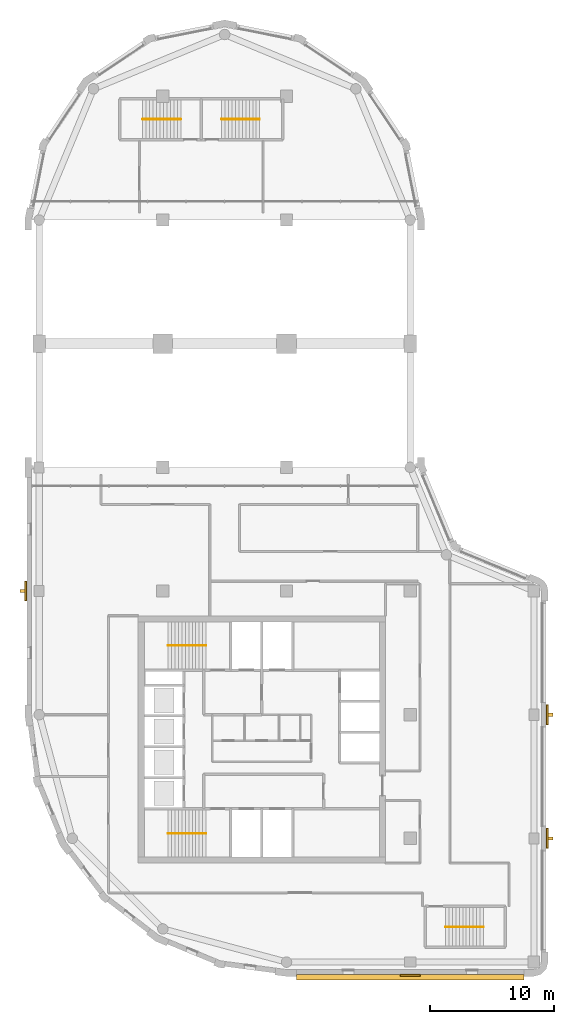
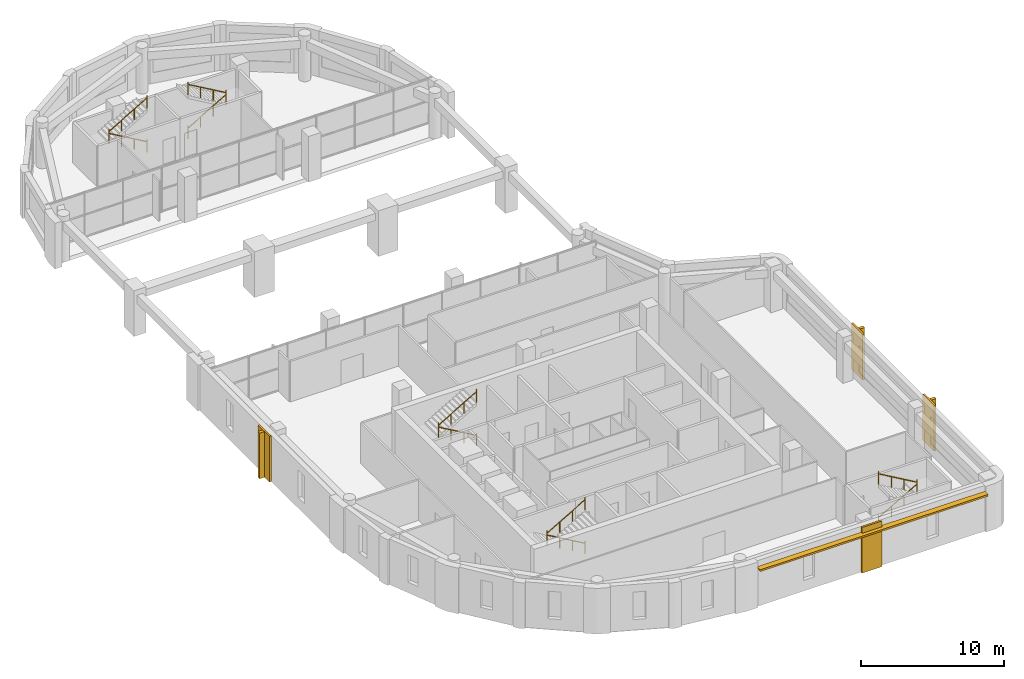
# One storey, part 10 of 11: 10 railings, 4 coverings, 4 shading devices.
"""IFC4 building model written with IfcOpenShell, lengths in metres."""

import ifcopenshell
import ifcopenshell.guid

model = None  # the IFC model being written
_history = None  # IfcOwnerHistory: only IFC2X3 demands one
_inside = {}  # id of a spatial element -> (the spatial element, [elements in it])
_under = {}  # id of a project, library or spatial element -> (it, [spatial elements below it])
_declared = {}  # id of a project -> (the project, [libraries it declares])
_typed = {}  # id of a type object -> (the type object, [elements of that type])
_made_of = {}  # id of a material, layer set ... -> (it, [elements and type objects made of it])


def new_model(schema):
    """Start an empty IFC model of exactly this schema.

    Asked for "IFC4X3", IfcOpenShell would pick the latest addendum, in which some entities
    have other attributes; the version numbers below select the first issue.
    IFC2X3 requires an IfcOwnerHistory on every rooted entity: one is made here for all.
    """
    global model, _history
    if schema == "IFC4X3":
        model = ifcopenshell.file(schema_version=(4, 3, 0, 0))
    else:
        model = ifcopenshell.file(schema=schema)
    _inside.clear()
    _under.clear()
    _declared.clear()
    _typed.clear()
    _made_of.clear()
    _history = None
    if model.schema == "IFC2X3":
        org = make("IfcOrganization", Name="unknown")
        user = make(
            "IfcPersonAndOrganization",
            ThePerson=make("IfcPerson", FamilyName="unknown"),
            TheOrganization=org,
        )
        app = make(
            "IfcApplication",
            ApplicationDeveloper=org,
            Version="unknown",
            ApplicationFullName="unknown",
            ApplicationIdentifier="unknown",
        )
        _history = make(
            "IfcOwnerHistory",
            OwningUser=user,
            OwningApplication=app,
            ChangeAction="ADDED",
            CreationDate=0,
        )
    return model


def make(cls, **values):
    """One entity of the class cls with the attributes given. An attribute that is None is left unset."""
    return model.create_entity(
        cls, **{name: value for name, value in values.items() if value is not None}
    )


def rooted(cls, **values):
    """An entity with a GlobalId (a new one), such as an element, a storey or a relation."""
    return make(cls, GlobalId=ifcopenshell.guid.new(), OwnerHistory=_history, **values)


def si_unit(unit_type, name, prefix=None):
    """IfcSIUnit, for example si_unit("LENGTHUNIT", "METRE", prefix="MILLI")."""
    return make("IfcSIUnit", UnitType=unit_type, Prefix=prefix, Name=name)


def assignment(units):
    """IfcUnitAssignment: the units of a project."""
    return None if units is None else make("IfcUnitAssignment", Units=units)


def point(xyz):
    """IfcCartesianPoint."""
    return None if xyz is None else make("IfcCartesianPoint", Coordinates=xyz)


def direction(xyz):
    """IfcDirection."""
    return None if xyz is None else make("IfcDirection", DirectionRatios=xyz)


def frame(location, z_axis=None, x_axis=None):
    """IfcAxis2Placement3D, a coordinate frame: its origin and axes. An axis left out is left unset."""
    return make(
        "IfcAxis2Placement3D",
        Location=point(location),
        Axis=direction(z_axis),
        RefDirection=direction(x_axis),
    )


def frame_2d(location, x_axis=None):
    """IfcAxis2Placement2D, a coordinate frame in the plane: its origin and x axis."""
    return make(
        "IfcAxis2Placement2D", Location=point(location), RefDirection=direction(x_axis)
    )


def origin():
    """The frame at (0, 0, 0) with its axes left unset."""
    return frame((0.0, 0.0, 0.0))


def origin_2d():
    """The frame at (0, 0) in the plane with its x axis left unset."""
    return frame_2d((0.0, 0.0))


def place(relative_to, where):
    """IfcLocalPlacement: puts the frame where relative to a parent placement (None: the world)."""
    return make(
        "IfcLocalPlacement", PlacementRelTo=relative_to, RelativePlacement=where
    )


def context(
    kind, dimensions, precision=None, world=None, true_north=None, identifier=None
):
    """IfcGeometricRepresentationContext, for example the 3D "Model" context."""
    return make(
        "IfcGeometricRepresentationContext",
        ContextIdentifier=identifier,
        ContextType=kind,
        CoordinateSpaceDimension=dimensions,
        Precision=precision,
        WorldCoordinateSystem=world,
        TrueNorth=true_north,
    )


def subcontext(parent, identifier, kind, view, scale=None):
    """IfcGeometricRepresentationSubContext, for example "Body" below "Model"."""
    return make(
        "IfcGeometricRepresentationSubContext",
        ContextIdentifier=identifier,
        ContextType=kind,
        ParentContext=parent,
        TargetScale=scale,
        TargetView=view,
    )


def project(units=None, contexts=None):
    """IfcProject with its units and contexts."""
    return rooted(
        "IfcProject",
        Name="project",
        RepresentationContexts=contexts,
        UnitsInContext=assignment(units),
    )


def spatial(cls, under=None, at=None, **own):
    """A site, building, storey or space (cls), placed at a placement, below another one or the project."""
    s = rooted(cls, ObjectPlacement=at, **own)
    if under is not None:
        _under.setdefault(under.id(), (under, []))[1].append(s)
    return s


def polyline(points):
    """IfcPolyline through the points."""
    return make("IfcPolyline", Points=[point(p) for p in points])


def profile(cls, at=None, kind="AREA", **sizes):
    """A parametric profile (cls). Its sizes go by their IFC names, for example OverallWidth=200.0."""
    return make(cls, ProfileType=kind, Position=at, **sizes)


def rectangle(**sizes):
    """IfcRectangleProfileDef."""
    return profile("IfcRectangleProfileDef", **sizes)


def circle(**sizes):
    """IfcCircleProfileDef."""
    return profile("IfcCircleProfileDef", **sizes)


def outline(outer, holes=None, kind="AREA"):
    """IfcArbitraryClosedProfileDef: a profile drawn as a closed curve; with holes, ...WithVoids."""
    if holes is None:
        return make("IfcArbitraryClosedProfileDef", ProfileType=kind, OuterCurve=outer)
    return make(
        "IfcArbitraryProfileDefWithVoids",
        ProfileType=kind,
        OuterCurve=outer,
        InnerCurves=holes,
    )


def extrude(swept, where, along, depth):
    """IfcExtrudedAreaSolid: the profile swept, set in the frame where, extruded along a direction by depth."""
    return make(
        "IfcExtrudedAreaSolid",
        SweptArea=swept,
        Position=where,
        ExtrudedDirection=direction(along),
        Depth=depth,
    )


def shape(context_of_items, identifier, shape_type, items):
    """IfcShapeRepresentation: the items that make up one representation, for example the "Body"."""
    return make(
        "IfcShapeRepresentation",
        ContextOfItems=context_of_items,
        RepresentationIdentifier=identifier,
        RepresentationType=shape_type,
        Items=items,
    )


def material(Name=None, Category=None):
    """IfcMaterial."""
    return make("IfcMaterial", Name=Name, Category=Category)


def layer(
    of_material, thickness, ventilated=None, Name=None, Category=None, Priority=None
):
    """IfcMaterialLayer: one layer of a wall or slab, of a material (None: an air gap)."""
    return make(
        "IfcMaterialLayer",
        Material=of_material,
        LayerThickness=thickness,
        IsVentilated=ventilated,
        Name=Name,
        Category=Category,
        Priority=Priority,
    )


def layer_set(layers, Name=None):
    """IfcMaterialLayerSet."""
    return make("IfcMaterialLayerSet", MaterialLayers=layers, LayerSetName=Name)


def made_of(thing, what):
    """Note that an element or type object is made of a material, layer set ...; save() writes the relation."""
    if what is not None:
        _made_of.setdefault(what.id(), (what, []))[1].append(thing)
    return thing


def type_object(cls, material=None, **own):
    """A type object (cls), such as IfcWallType, which elements share."""
    return made_of(rooted(cls, **own), material)


def element(
    cls,
    number,
    at=None,
    inside=None,
    cuts=None,
    type_object=None,
    material=None,
    context=None,
    identifier="Body",
    shape_type=None,
    held_by="IfcProductDefinitionShape",
    body=None,
    shapes=None,
    **own,
):
    """One element of the class cls, such as IfcWall. Its Tag is "e" and its number.

    at: its placement. inside: the storey or other place that contains it. cuts: it is an
    opening in that element (IfcRelVoidsElement). A single representation is given by context,
    identifier, shape_type and body (its items); several are given by shapes. held_by: the class
    of the entity that holds the representations. save() writes the other relations.
    """
    e = rooted(cls, Tag="e%d" % number, ObjectPlacement=at, **own)
    if body is not None:
        shapes = [shape(context, identifier, shape_type, body)]
    if shapes is not None:
        e.Representation = make(held_by, Representations=shapes)
    if inside is not None:
        _inside.setdefault(inside.id(), (inside, []))[1].append(e)
    if cuts is not None:
        rooted(
            "IfcRelVoidsElement", RelatingBuildingElement=cuts, RelatedOpeningElement=e
        )
    if type_object is not None:
        _typed.setdefault(type_object.id(), (type_object, []))[1].append(e)
    return made_of(e, material)


def aggregate(whole, parts):
    """IfcRelAggregates: a whole, such as a stair, and the parts it consists of."""
    return rooted("IfcRelAggregates", RelatingObject=whole, RelatedObjects=parts)


def save(model, path):
    """Write the relations noted so far, then the file.

    IfcRelAggregates (storeys below a building ...), IfcRelContainedInSpatialStructure (elements
    in a storey), IfcRelDefinesByType, IfcRelAssociatesMaterial and IfcRelDeclares: one each for
    every whole, place, type object, material and project.
    """
    for whole, parts in _under.values():
        aggregate(whole, parts)
    for where, things in _inside.values():
        rooted(
            "IfcRelContainedInSpatialStructure",
            RelatedElements=things,
            RelatingStructure=where,
        )
    for kind, things in _typed.values():
        rooted("IfcRelDefinesByType", RelatedObjects=things, RelatingType=kind)
    for what, things in _made_of.values():
        rooted("IfcRelAssociatesMaterial", RelatedObjects=things, RelatingMaterial=what)
    for by, libraries in _declared.values():
        rooted("IfcRelDeclares", RelatingContext=by, RelatedDefinitions=libraries)
    model.write(path)


model = new_model("IFC4")

# Units and contexts
model_context = context("Model", 3, precision=1e-05, world=origin(), true_north=direction((0.0, 1.0)))
body_context = subcontext(model_context, "Body", "Model", "MODEL_VIEW")
ifc_project = project(units=[si_unit("LENGTHUNIT", "METRE"), si_unit("AREAUNIT", "SQUARE_METRE"), si_unit("VOLUMEUNIT", "CUBIC_METRE"), si_unit("PLANEANGLEUNIT", "RADIAN"), si_unit("MASSUNIT", "GRAM", prefix="KILO")], contexts=[model_context])

# Site, building, storey
site_placement = place(None, origin())
site = spatial("IfcSite", under=ifc_project, at=site_placement, CompositionType="ELEMENT")
building_placement = place(site_placement, origin())
building = spatial("IfcBuilding", under=site, at=building_placement, Name="Qaws Garden Tower", CompositionType="ELEMENT")
storey_placement = place(building_placement, frame((0.0, 0.0, 329.39990234375)))
storey = spatial("IfcBuildingStorey", under=building, at=storey_placement, Name="L80", CompositionType="ELEMENT", Elevation=329.39990234375)

# Coverings
ifc_material_1 = material(Name="Clay facing brick masonry", Category="masonry")
ifc_layer_1 = layer(ifc_material_1, 0.14990234375)
ifc_layer_set_1 = layer_set([ifc_layer_1], Name="Clay facing brick masonry")
covering_type = type_object("IfcCoveringType", Name="Brick pilaster facing 150 x 1600", PredefinedType="CLADDING", material=ifc_layer_set_1)
placement = place(storey_placement, origin())
element("IfcCovering", 1, at=placement, inside=storey, type_object=covering_type, Name="E-L80-pier-01", PredefinedType="CLADDING", context=body_context, shape_type="SweptSolid", body=[
    extrude(outline(polyline([(29.199951171875, -1.0), (30.800048828125, -1.0), (30.800048828125, -1.14990234375), (29.199951171875, -1.14990234375), (29.199951171875, -1.0)])), origin(), (0.0, 0.0, 1.0), 3.900146484375),
])
element("IfcCovering", 2, at=placement, inside=storey, type_object=covering_type, Name="E-L80-pier-03", PredefinedType="CLADDING", context=body_context, shape_type="SweptSolid", body=[
    extrude(outline(polyline([(41.0, 9.199951171875), (41.0, 10.800048828125), (41.14990234375, 10.800048828125), (41.14990234375, 9.199951171875), (41.0, 9.199951171875)])), origin(), (0.0, 0.0, 1.0), 3.900146484375),
])
element("IfcCovering", 3, at=placement, inside=storey, type_object=covering_type, Name="E-L80-pier-04", PredefinedType="CLADDING", context=body_context, shape_type="SweptSolid", body=[
    extrude(outline(polyline([(41.0, 19.199951171875), (41.0, 20.800048828125), (41.14990234375, 20.800048828125), (41.14990234375, 19.199951171875), (41.0, 19.199951171875)])), origin(), (0.0, 0.0, 1.0), 3.900146484375),
])
element("IfcCovering", 4, at=placement, inside=storey, type_object=covering_type, Name="E-L80-pier-20", PredefinedType="CLADDING", context=body_context, shape_type="SweptSolid", body=[
    extrude(outline(polyline([(-1.0, 30.800048828125), (-1.0, 29.199951171875), (-1.14990234375, 29.199951171875), (-1.14990234375, 30.800048828125), (-1.0, 30.800048828125)])), origin(), (0.0, 0.0, 1.0), 3.900146484375),
])

# Shading devices
ifc_material_2 = material(Name="Clay facing brick masonry", Category="masonry")
ifc_layer_2 = layer(ifc_material_2, 0.14990234375)
ifc_layer_set_2 = layer_set([ifc_layer_2], Name="Clay facing brick masonry")
shading_device_type_1 = type_object("IfcShadingDeviceType", Name="Brick sunshade band 450 x 150", PredefinedType="JALOUSIE", material=ifc_layer_set_2)
shading_device_placement = place(storey_placement, frame((0.0, 0.0, 3.25)))
element("IfcShadingDevice", 5, at=shading_device_placement, inside=storey, type_object=shading_device_type_1, Name="SUNSHADE 00", PredefinedType="JALOUSIE", context=body_context, shape_type="SweptSolid", body=[
    extrude(outline(polyline([(20.800048828125, -1.0), (20.800048828125, -1.449951171875), (39.199951171875, -1.449951171875), (39.199951171875, -1.0), (30.800048828125, -1.0), (30.800048828125, -1.14990234375), (29.199951171875, -1.14990234375), (29.199951171875, -1.0), (20.800048828125, -1.0)])), origin(), (0.0, 0.0, 1.0), 0.150146484375),
])
ifc_material_3 = material(Name="Clay facing brick masonry", Category="masonry")
ifc_layer_3 = layer(ifc_material_3, 0.25)
ifc_layer_set_3 = layer_set([ifc_layer_3], Name="Clay facing brick masonry")
shading_device_type_2 = type_object("IfcShadingDeviceType", Name="Brick-faced fin 250 x 400", PredefinedType="USERDEFINED", material=ifc_layer_set_3)
for number, where, z_axis, x_axis, name in (
    (6, (41.35009765625, 10.0, 0.000244140625), (0.0, 0.0, 1.0), (0.0, 1.0, 0.0), "FIN 03"),
    (7, (41.35009765625, 20.0, 0.000244140625), (0.0, 0.0, 1.0), (0.0, 1.0, 0.0), "FIN 04"),
    (8, (-1.35009765625, 30.0, 0.000244140625), (0.0, 0.0, 1.0), (0.0, -1.0, 0.0), "FIN 20"),
):
    element("IfcShadingDevice", number, at=place(storey_placement, frame(where, z_axis=z_axis, x_axis=x_axis)), inside=storey, type_object=shading_device_type_2, Name=name, ObjectType="FIN", PredefinedType="USERDEFINED", context=body_context, shape_type="SweptSolid", body=[
        extrude(rectangle(XDim=0.25, YDim=0.39990234375, at=origin_2d()), origin(), (0.0, 0.0, 1.0), 3.89990234375),
    ])

# Railings
ifc_material_4 = material(Name="Steel S355", Category="steel")
railing_type = type_object("IfcRailingType", Name="Stair handrail 900", PredefinedType="HANDRAIL", material=ifc_material_4)
railing_1_placement = place(storey_placement, frame((13.5, 10.39990234375, 0.16259765625)))
element("IfcRailing", 9, at=railing_1_placement, inside=storey, type_object=railing_type, Name="Stair 1 handrail", PredefinedType="HANDRAIL", context=body_context, shape_type="SweptSolid", body=[
    extrude(circle(Radius=0.02392578125, at=origin_2d()), frame((0.0, 0.0, 0.8759765625), z_axis=(-0.864890721111, 0.0, 0.501960198159), x_axis=(0.0, -1.0, 0.0)), (0.0, 0.0, 1.0), 3.561279296875),
    extrude(circle(Radius=0.02099609375, at=origin_2d()), origin(), (0.0, 0.0, 1.0), 1.06201171875),
    extrude(circle(Radius=0.02099609375, at=origin_2d()), frame((-1.026611328125, 0.0, 0.595947265625)), (0.0, 0.0, 1.0), 0.851806640625),
    extrude(circle(Radius=0.02099609375, at=origin_2d()), frame((-2.053466796875, 0.0, 1.191650390625)), (0.0, 0.0, 1.0), 0.851806640625),
    extrude(circle(Radius=0.02099609375, at=origin_2d()), frame((-3.080078125, 0.0, 1.78759765625)), (0.0, 0.0, 1.0), 1.06201171875),
])
railing_2_placement = place(storey_placement, frame((10.419921875, 10.39990234375, 2.112548828125)))
element("IfcRailing", 10, at=railing_2_placement, inside=storey, type_object=railing_type, Name="Stair 1 handrail", PredefinedType="HANDRAIL", context=body_context, shape_type="SweptSolid", body=[
    extrude(circle(Radius=0.02392578125, at=origin_2d()), frame((0.0, 0.0, 0.8759765625), z_axis=(0.864890721111, 0.0, 0.501960198159), x_axis=(0.0, 1.0, 0.0)), (0.0, 0.0, 1.0), 3.561279296875),
    extrude(circle(Radius=0.02099609375, at=origin_2d()), origin(), (0.0, 0.0, 1.0), 1.06201171875),
    extrude(circle(Radius=0.02099609375, at=origin_2d()), frame((1.026611328125, 0.0, 0.595947265625)), (0.0, 0.0, 1.0), 0.851806640625),
    extrude(circle(Radius=0.02099609375, at=origin_2d()), frame((2.053466796875, 0.0, 1.191650390625)), (0.0, 0.0, 1.0), 0.851806640625),
    extrude(circle(Radius=0.02099609375, at=origin_2d()), frame((3.080078125, 0.0, 1.78759765625)), (0.0, 0.0, 1.0), 1.06201171875),
])
railing_3_placement = place(storey_placement, frame((13.5, 25.60009765625, 0.16259765625)))
element("IfcRailing", 11, at=railing_3_placement, inside=storey, type_object=railing_type, Name="Stair 4 handrail", PredefinedType="HANDRAIL", context=body_context, shape_type="SweptSolid", body=[
    extrude(circle(Radius=0.02392578125, at=origin_2d()), frame((0.0, 0.0, 0.8759765625), z_axis=(-0.864890721111, 0.0, 0.501960198159), x_axis=(0.0, -1.0, 0.0)), (0.0, 0.0, 1.0), 3.561279296875),
    extrude(circle(Radius=0.02099609375, at=origin_2d()), origin(), (0.0, 0.0, 1.0), 1.06201171875),
    extrude(circle(Radius=0.02099609375, at=origin_2d()), frame((-1.026611328125, 0.0, 0.595947265625)), (0.0, 0.0, 1.0), 0.851806640625),
    extrude(circle(Radius=0.02099609375, at=origin_2d()), frame((-2.053466796875, 0.0, 1.191650390625)), (0.0, 0.0, 1.0), 0.851806640625),
    extrude(circle(Radius=0.02099609375, at=origin_2d()), frame((-3.080078125, 0.0, 1.78759765625)), (0.0, 0.0, 1.0), 1.06201171875),
])
railing_4_placement = place(storey_placement, frame((10.419921875, 25.60009765625, 2.112548828125)))
element("IfcRailing", 12, at=railing_4_placement, inside=storey, type_object=railing_type, Name="Stair 4 handrail", PredefinedType="HANDRAIL", context=body_context, shape_type="SweptSolid", body=[
    extrude(circle(Radius=0.02392578125, at=origin_2d()), frame((0.0, 0.0, 0.8759765625), z_axis=(0.864890721111, 0.0, 0.501960198159), x_axis=(0.0, 1.0, 0.0)), (0.0, 0.0, 1.0), 3.561279296875),
    extrude(circle(Radius=0.02099609375, at=origin_2d()), origin(), (0.0, 0.0, 1.0), 1.06201171875),
    extrude(circle(Radius=0.02099609375, at=origin_2d()), frame((1.026611328125, 0.0, 0.595947265625)), (0.0, 0.0, 1.0), 0.851806640625),
    extrude(circle(Radius=0.02099609375, at=origin_2d()), frame((2.053466796875, 0.0, 1.191650390625)), (0.0, 0.0, 1.0), 0.851806640625),
    extrude(circle(Radius=0.02099609375, at=origin_2d()), frame((3.080078125, 0.0, 1.78759765625)), (0.0, 0.0, 1.0), 1.06201171875),
])
railing_5_placement = place(storey_placement, frame((32.85009765625, 2.85009765625, 0.16259765625)))
element("IfcRailing", 13, at=railing_5_placement, inside=storey, type_object=railing_type, Name="Stair 5 handrail", PredefinedType="HANDRAIL", context=body_context, shape_type="SweptSolid", body=[
    extrude(circle(Radius=0.02392578125, at=origin_2d()), frame((0.0, 0.0, 0.8759765625), z_axis=(0.864873446163, 0.0, 0.501989962173), x_axis=(0.0, 1.0, 0.0)), (0.0, 0.0, 1.0), 3.56103515625),
    extrude(circle(Radius=0.02099609375, at=origin_2d()), origin(), (0.0, 0.0, 1.0), 1.06201171875),
    extrude(circle(Radius=0.02099609375, at=origin_2d()), frame((1.026611328125, 0.0, 0.595947265625)), (0.0, 0.0, 1.0), 0.851806640625),
    extrude(circle(Radius=0.02099609375, at=origin_2d()), frame((2.05322265625, 0.0, 1.191650390625)), (0.0, 0.0, 1.0), 0.851806640625),
    extrude(circle(Radius=0.02099609375, at=origin_2d()), frame((3.079833984375, 0.0, 1.78759765625)), (0.0, 0.0, 1.0), 1.06201171875),
])
for number, where, name in (
    (14, (35.929931640625, 2.85009765625, 2.112548828125), "Stair 5 handrail"),
    (15, (11.449951171875, 68.14990234375, 0.16259765625), "Stair 6 handrail"),
):
    element("IfcRailing", number, at=place(storey_placement, frame(where)), inside=storey, type_object=railing_type, Name=name, PredefinedType="HANDRAIL", context=body_context, shape_type="SweptSolid", body=[
        extrude(circle(Radius=0.02392578125, at=origin_2d()), frame((0.0, 0.0, 0.8759765625), z_axis=(-0.864873446163, 0.0, 0.501989962173), x_axis=(0.0, -1.0, 0.0)), (0.0, 0.0, 1.0), 3.56103515625),
        extrude(circle(Radius=0.02099609375, at=origin_2d()), origin(), (0.0, 0.0, 1.0), 1.06201171875),
        extrude(circle(Radius=0.02099609375, at=origin_2d()), frame((-1.026611328125, 0.0, 0.595947265625)), (0.0, 0.0, 1.0), 0.851806640625),
        extrude(circle(Radius=0.02099609375, at=origin_2d()), frame((-2.05322265625, 0.0, 1.191650390625)), (0.0, 0.0, 1.0), 0.851806640625),
        extrude(circle(Radius=0.02099609375, at=origin_2d()), frame((-3.079833984375, 0.0, 1.78759765625)), (0.0, 0.0, 1.0), 1.06201171875),
    ])
railing_6_placement = place(storey_placement, frame((8.3701171875, 68.14990234375, 2.112548828125)))
element("IfcRailing", 16, at=railing_6_placement, inside=storey, type_object=railing_type, Name="Stair 6 handrail", PredefinedType="HANDRAIL", context=body_context, shape_type="SweptSolid", body=[
    extrude(circle(Radius=0.02392578125, at=origin_2d()), frame((0.0, 0.0, 0.8759765625), z_axis=(0.864873446163, 0.0, 0.501989962173), x_axis=(0.0, 1.0, 0.0)), (0.0, 0.0, 1.0), 3.56103515625),
    extrude(circle(Radius=0.02099609375, at=origin_2d()), origin(), (0.0, 0.0, 1.0), 1.06201171875),
    extrude(circle(Radius=0.02099609375, at=origin_2d()), frame((1.026611328125, 0.0, 0.595947265625)), (0.0, 0.0, 1.0), 0.851806640625),
    extrude(circle(Radius=0.02099609375, at=origin_2d()), frame((2.05322265625, 0.0, 1.191650390625)), (0.0, 0.0, 1.0), 0.851806640625),
    extrude(circle(Radius=0.02099609375, at=origin_2d()), frame((3.079833984375, 0.0, 1.78759765625)), (0.0, 0.0, 1.0), 1.06201171875),
])
railing_7_placement = place(storey_placement, frame((14.75, 68.14990234375, 0.16259765625)))
element("IfcRailing", 17, at=railing_7_placement, inside=storey, type_object=railing_type, Name="Stair 7 handrail", PredefinedType="HANDRAIL", context=body_context, shape_type="SweptSolid", body=[
    extrude(circle(Radius=0.02392578125, at=origin_2d()), frame((0.0, 0.0, 0.8759765625), z_axis=(0.864890721111, 0.0, 0.501960198159), x_axis=(0.0, 1.0, 0.0)), (0.0, 0.0, 1.0), 3.561279296875),
    extrude(circle(Radius=0.02099609375, at=origin_2d()), origin(), (0.0, 0.0, 1.0), 1.06201171875),
    extrude(circle(Radius=0.02099609375, at=origin_2d()), frame((1.026611328125, 0.0, 0.595947265625)), (0.0, 0.0, 1.0), 0.851806640625),
    extrude(circle(Radius=0.02099609375, at=origin_2d()), frame((2.053466796875, 0.0, 1.191650390625)), (0.0, 0.0, 1.0), 0.851806640625),
    extrude(circle(Radius=0.02099609375, at=origin_2d()), frame((3.080078125, 0.0, 1.78759765625)), (0.0, 0.0, 1.0), 1.06201171875),
])
railing_8_placement = place(storey_placement, frame((17.830078125, 68.14990234375, 2.112548828125)))
element("IfcRailing", 18, at=railing_8_placement, inside=storey, type_object=railing_type, Name="Stair 7 handrail", PredefinedType="HANDRAIL", context=body_context, shape_type="SweptSolid", body=[
    extrude(circle(Radius=0.02392578125, at=origin_2d()), frame((0.0, 0.0, 0.8759765625), z_axis=(-0.864890721111, 0.0, 0.501960198159), x_axis=(0.0, -1.0, 0.0)), (0.0, 0.0, 1.0), 3.561279296875),
    extrude(circle(Radius=0.02099609375, at=origin_2d()), origin(), (0.0, 0.0, 1.0), 1.06201171875),
    extrude(circle(Radius=0.02099609375, at=origin_2d()), frame((-1.026611328125, 0.0, 0.595947265625)), (0.0, 0.0, 1.0), 0.851806640625),
    extrude(circle(Radius=0.02099609375, at=origin_2d()), frame((-2.053466796875, 0.0, 1.191650390625)), (0.0, 0.0, 1.0), 0.851806640625),
    extrude(circle(Radius=0.02099609375, at=origin_2d()), frame((-3.080078125, 0.0, 1.78759765625)), (0.0, 0.0, 1.0), 1.06201171875),
])

save(model, "model.ifc")
